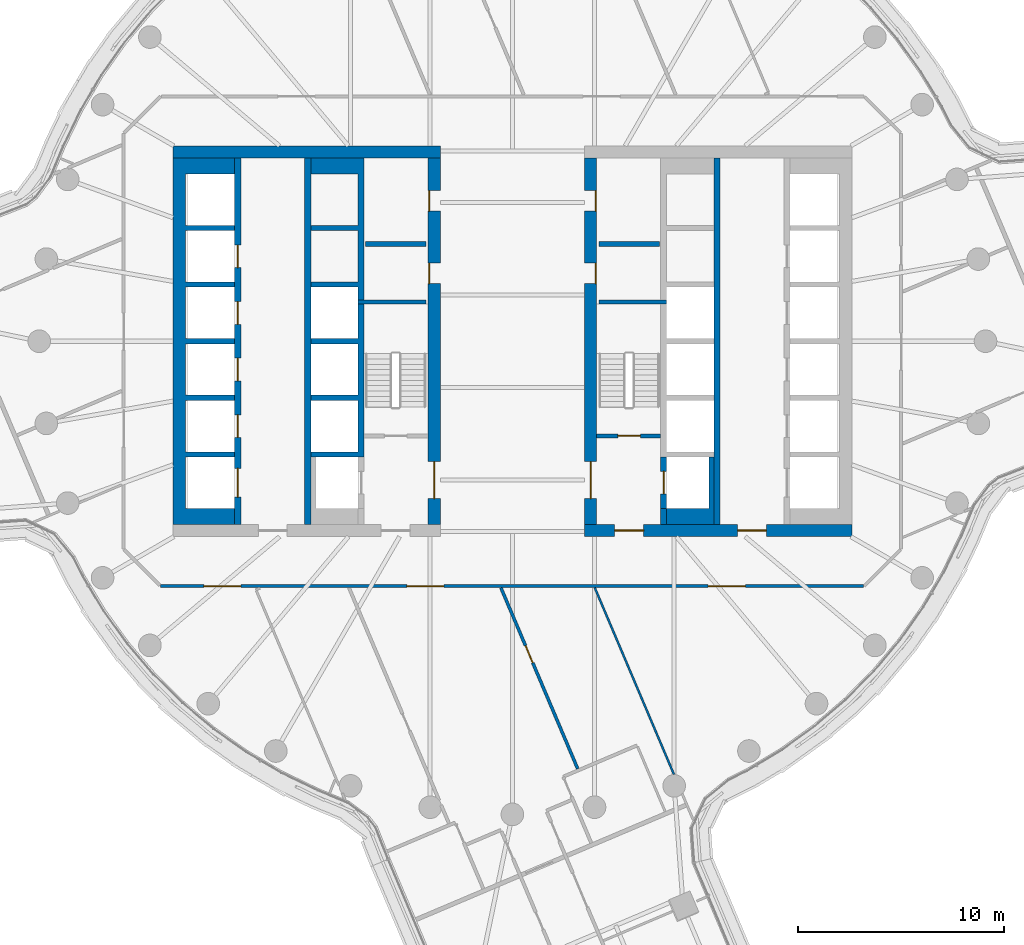
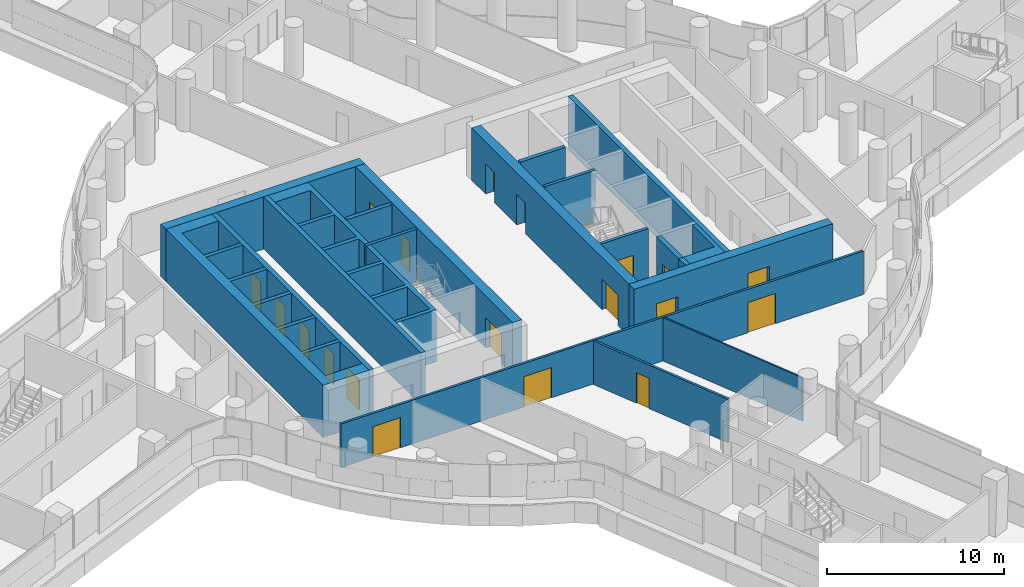
# One storey, part 23 of 35: 20 walls, 19 doors, 19 openings.
"""IFC4 building model written with IfcOpenShell, lengths in metres."""

from ifc_helpers import new_model, si_unit, direction, frame, frame_2d, origin, place, context, subcontext, project, spatial, polyline, rectangle, outline, extrude, material, layer, layer_set, type_object, element, fill, save


model = new_model("IFC4")

# Units and contexts
model_context = context("Model", 3, precision=1e-05, world=origin(), true_north=direction((0.0, 1.0)))
body_context = subcontext(model_context, "Body", "Model", "MODEL_VIEW")
ifc_project = project(units=[si_unit("LENGTHUNIT", "METRE"), si_unit("AREAUNIT", "SQUARE_METRE"), si_unit("VOLUMEUNIT", "CUBIC_METRE"), si_unit("PLANEANGLEUNIT", "RADIAN"), si_unit("MASSUNIT", "GRAM", prefix="KILO")], contexts=[model_context])

# Site, building, storey
site_placement = place(None, origin())
site = spatial("IfcSite", under=ifc_project, at=site_placement, CompositionType="ELEMENT")
building_placement = place(site_placement, origin())
building = spatial("IfcBuilding", under=site, at=building_placement, Name="Tamarind Cross Interchange Tower", CompositionType="ELEMENT")
storey_placement = place(building_placement, frame((0.0, 0.0, 117.25)))
storey = spatial("IfcBuildingStorey", under=building, at=storey_placement, Name="L28", CompositionType="ELEMENT", Elevation=117.25)

# Walls
ifc_material_1 = material(Name="Concrete C70", Category="concrete")
ifc_layer_1 = layer(ifc_material_1, 0.60009765625)
ifc_layer_set_1 = layer_set([ifc_layer_1], Name="Concrete C70")
wall_type_1 = type_object("IfcWallType", Name="Core wall 600 mm Concrete C70", PredefinedType="SHEAR", material=ifc_layer_set_1)
wall_1_placement = place(storey_placement, origin())
element("IfcWall", 1, at=wall_1_placement, inside=storey, type_object=wall_type_1, Name="Core wall CWL-L28-W-A", PredefinedType="SHEAR", context=body_context, shape_type="SweptSolid", body=[
    extrude(outline(polyline([(-13.5, -8.89990234375), (-13.5, -8.125), (-15.89990234375, -8.125), (-15.89990234375, -5.625), (-13.5, -5.625), (-13.5, -5.375), (-15.89990234375, -5.375), (-15.89990234375, -2.875), (-13.5, -2.875), (-13.5, -2.625), (-15.89990234375, -2.625), (-15.89990234375, -0.125), (-13.5, -0.125), (-13.5, 0.125), (-15.89990234375, 0.125), (-15.89990234375, 2.625), (-13.5, 2.625), (-13.5, 2.875), (-15.89990234375, 2.875), (-15.89990234375, 5.375), (-13.5, 5.375), (-13.5, 5.625), (-15.89990234375, 5.625), (-15.89990234375, 8.125), (-13.5, 8.125), (-13.5, 8.89990234375), (-15.89990234375, 8.89990234375), (-16.5, 8.89990234375), (-16.5, -8.89990234375), (-15.89990234375, -8.89990234375), (-13.5, -8.89990234375)])), origin(), (0.0, 0.0, 1.0), 3.610107421875),
])
wall_2_placement = place(storey_placement, frame((-16.5, 9.199951171875, 0.0), z_axis=(0.0, 0.0, 1.0), x_axis=(1.0, 0.0, 0.0)))
element("IfcWall", 2, at=wall_2_placement, inside=storey, type_object=wall_type_1, Name="Core wall CWL-L28-W-NE", PredefinedType="SHEAR", context=body_context, shape_type="SweptSolid", body=[
    extrude(rectangle(XDim=13.0, YDim=0.60009765625, at=frame_2d((6.5, 0.0))), origin(), (0.0, 0.0, 1.0), 3.610107421875),
])

# Wall, openings, doors
wall_3_placement = place(storey_placement, frame((-3.800048828125, -8.89990234375, 0.0), z_axis=(0.0, 0.0, 1.0), x_axis=(0.0, 1.0, 0.0)))
wall_3 = element("IfcWall", 3, at=wall_3_placement, inside=storey, type_object=wall_type_1, Name="Core wall CWL-L28-W-IN", PredefinedType="SHEAR", context=body_context, shape_type="SweptSolid", body=[
    extrude(rectangle(XDim=17.7998046875, YDim=0.60009765625, at=frame_2d((8.89990234375, 0.0))), origin(), (0.0, 0.0, 1.0), 3.610107421875),
])
opening_1_placement = place(wall_3_placement, frame((1.25, 0.0, 0.0)))
opening_1 = element("IfcOpeningElement", 4, at=opening_1_placement, cuts=wall_3, Name="Opening DCW4", PredefinedType="OPENING", context=body_context, shape_type="SweptSolid", body=[
    extrude(rectangle(XDim=1.800048828125, YDim=2.10009765625, at=frame_2d((0.89990234375, 1.050048828125))), frame((0.0, 0.31005859375, 0.0), z_axis=(0.0, -1.0, 0.0), x_axis=(1.0, 0.0, 0.0)), (0.0, 0.0, 1.0), 0.6201171875),
])
opening_2_placement = place(wall_3_placement, frame((11.697509765625, 0.0, 0.0)))
opening_2 = element("IfcOpeningElement", 5, at=opening_2_placement, cuts=wall_3, Name="Opening DCW5", PredefinedType="OPENING", context=body_context, shape_type="SweptSolid", body=[
    extrude(rectangle(XDim=1.0, YDim=2.10009765625, at=frame_2d((0.5, 1.050048828125))), frame((0.0, 0.31005859375, 0.0), z_axis=(0.0, -1.0, 0.0), x_axis=(1.0, 0.0, 0.0)), (0.0, 0.0, 1.0), 0.6201171875),
])
opening_3_placement = place(wall_3_placement, frame((15.222412109375, 0.0, 0.0)))
opening_3 = element("IfcOpeningElement", 6, at=opening_3_placement, cuts=wall_3, Name="Opening DCW5", PredefinedType="OPENING", context=body_context, shape_type="SweptSolid", body=[
    extrude(rectangle(XDim=1.0, YDim=2.10009765625, at=frame_2d((0.5, 1.050048828125))), frame((0.0, 0.31005859375, 0.0), z_axis=(0.0, -1.0, 0.0), x_axis=(1.0, 0.0, 0.0)), (0.0, 0.0, 1.0), 0.6201171875),
])
ifc_material_2 = material(Name="Steel, fire-resisting", Category="steel")
door_type_1 = type_object("IfcDoorType", Name="Core fire door 1000 x 2100 FD90", OperationType="SINGLE_SWING_LEFT", PredefinedType="DOOR", material=ifc_material_2)
door_1_placement = place(opening_2_placement, origin())
door_1 = element("IfcDoor", 7, at=door_1_placement, inside=storey, type_object=door_type_1, Name="L28 comms room door", OperationType="SINGLE_SWING_LEFT", OverallHeight=2.10009765625, OverallWidth=1.0, PredefinedType="DOOR", context=body_context, shape_type="SweptSolid", body=[
    extrude(rectangle(XDim=1.0, YDim=2.10009765625, at=frame_2d((0.5, 1.050048828125))), frame((0.0, 0.27490234375, 0.0), z_axis=(0.0, -1.0, 0.0), x_axis=(1.0, 0.0, 0.0)), (0.0, 0.0, 1.0), 0.050048828125),
])
fill(opening_2, door_1)
door_2_placement = place(opening_3_placement, origin())
door_2 = element("IfcDoor", 8, at=door_2_placement, inside=storey, type_object=door_type_1, Name="L28 cleaner's store door", OperationType="SINGLE_SWING_LEFT", OverallHeight=2.10009765625, OverallWidth=1.0, PredefinedType="DOOR", context=body_context, shape_type="SweptSolid", body=[
    extrude(rectangle(XDim=1.0, YDim=2.10009765625, at=frame_2d((0.5, 1.050048828125))), frame((0.0, 0.27490234375, 0.0), z_axis=(0.0, -1.0, 0.0), x_axis=(1.0, 0.0, 0.0)), (0.0, 0.0, 1.0), 0.050048828125),
])
fill(opening_3, door_2)
door_type_2 = type_object("IfcDoorType", Name="Core fire door 1800 x 2100 FD90", OperationType="SINGLE_SWING_LEFT", PredefinedType="DOOR", material=ifc_material_2)
door_3_placement = place(opening_1_placement, origin())
door_3 = element("IfcDoor", 9, at=door_3_placement, inside=storey, type_object=door_type_2, Name="L28 firefighting lobby door", OperationType="SINGLE_SWING_LEFT", OverallHeight=2.10009765625, OverallWidth=1.800048828125, PredefinedType="DOOR", context=body_context, shape_type="SweptSolid", body=[
    extrude(rectangle(XDim=1.800048828125, YDim=2.10009765625, at=frame_2d((0.89990234375, 1.050048828125))), frame((0.0, 0.02490234375, 0.0), z_axis=(0.0, -1.0, 0.0), x_axis=(1.0, 0.0, 0.0)), (0.0, 0.0, 1.0), 0.050048828125),
])
fill(opening_1, door_3)

wall_4_placement = place(storey_placement, frame((16.5, -9.199951171875, 0.0), z_axis=(0.0, 0.0, 1.0), x_axis=(-1.0, 0.0, 0.0)))
wall_4 = element("IfcWall", 10, at=wall_4_placement, inside=storey, type_object=wall_type_1, Name="Core wall CWL-L28-E-S", PredefinedType="SHEAR", context=body_context, shape_type="SweptSolid", body=[
    extrude(rectangle(XDim=13.0, YDim=0.60009765625, at=frame_2d((6.5, 0.0))), origin(), (0.0, 0.0, 1.0), 3.610107421875),
])
opening_4_placement = place(wall_4_placement, frame((4.14990234375, 0.0, 0.0)))
opening_4 = element("IfcOpeningElement", 11, at=opening_4_placement, cuts=wall_4, Name="Opening DCE1", PredefinedType="OPENING", context=body_context, shape_type="SweptSolid", body=[
    extrude(rectangle(XDim=1.39990234375, YDim=2.10009765625, at=frame_2d((0.699951171875, 1.050048828125))), frame((0.0, 0.31005859375, 0.0), z_axis=(0.0, -1.0, 0.0), x_axis=(1.0, 0.0, 0.0)), (0.0, 0.0, 1.0), 0.6201171875),
])
opening_5_placement = place(wall_4_placement, frame((10.125, 0.0, 0.0)))
opening_5 = element("IfcOpeningElement", 12, at=opening_5_placement, cuts=wall_4, Name="Opening DCEF", PredefinedType="OPENING", context=body_context, shape_type="SweptSolid", body=[
    extrude(rectangle(XDim=1.39990234375, YDim=2.10009765625, at=frame_2d((0.699951171875, 1.050048828125))), frame((0.0, 0.31005859375, 0.0), z_axis=(0.0, -1.0, 0.0), x_axis=(1.0, 0.0, 0.0)), (0.0, 0.0, 1.0), 0.6201171875),
])
door_type_3 = type_object("IfcDoorType", Name="Core fire door 1400 x 2100 FD90", OperationType="SINGLE_SWING_LEFT", PredefinedType="DOOR", material=ifc_material_2)
door_4_placement = place(opening_4_placement, origin())
door_4 = element("IfcDoor", 13, at=door_4_placement, inside=storey, type_object=door_type_3, Name="L28 lift lobby door", OperationType="SINGLE_SWING_LEFT", OverallHeight=2.10009765625, OverallWidth=1.39990234375, PredefinedType="DOOR", context=body_context, shape_type="SweptSolid", body=[
    extrude(rectangle(XDim=1.39990234375, YDim=2.10009765625, at=frame_2d((0.699951171875, 1.050048828125))), frame((0.0, 0.02490234375, 0.0), z_axis=(0.0, -1.0, 0.0), x_axis=(1.0, 0.0, 0.0)), (0.0, 0.0, 1.0), 0.050048828125),
])
fill(opening_4, door_4)
door_5_placement = place(opening_5_placement, origin())
door_5 = element("IfcDoor", 14, at=door_5_placement, inside=storey, type_object=door_type_3, Name="L28 firefighting lobby end door", OperationType="SINGLE_SWING_LEFT", OverallHeight=2.10009765625, OverallWidth=1.39990234375, PredefinedType="DOOR", context=body_context, shape_type="SweptSolid", body=[
    extrude(rectangle(XDim=1.39990234375, YDim=2.10009765625, at=frame_2d((0.699951171875, 1.050048828125))), frame((0.0, 0.02490234375, 0.0), z_axis=(0.0, -1.0, 0.0), x_axis=(1.0, 0.0, 0.0)), (0.0, 0.0, 1.0), 0.050048828125),
])
fill(opening_5, door_5)

wall_5_placement = place(storey_placement, frame((3.800048828125, -8.89990234375, 0.0), z_axis=(0.0, 0.0, 1.0), x_axis=(0.0, 1.0, 0.0)))
wall_5 = element("IfcWall", 15, at=wall_5_placement, inside=storey, type_object=wall_type_1, Name="Core wall CWL-L28-E-IN", PredefinedType="SHEAR", context=body_context, shape_type="SweptSolid", body=[
    extrude(rectangle(XDim=17.7998046875, YDim=0.60009765625, at=frame_2d((8.89990234375, 0.0))), origin(), (0.0, 0.0, 1.0), 3.610107421875),
])
opening_6_placement = place(wall_5_placement, frame((1.25, 0.0, 0.0)))
opening_6 = element("IfcOpeningElement", 16, at=opening_6_placement, cuts=wall_5, Name="Opening DCE4", PredefinedType="OPENING", context=body_context, shape_type="SweptSolid", body=[
    extrude(rectangle(XDim=1.800048828125, YDim=2.10009765625, at=frame_2d((0.89990234375, 1.050048828125))), frame((0.0, 0.31005859375, 0.0), z_axis=(0.0, -1.0, 0.0), x_axis=(1.0, 0.0, 0.0)), (0.0, 0.0, 1.0), 0.6201171875),
])
opening_7_placement = place(wall_5_placement, frame((11.697509765625, 0.0, 0.0)))
opening_7 = element("IfcOpeningElement", 17, at=opening_7_placement, cuts=wall_5, Name="Opening DCE5", PredefinedType="OPENING", context=body_context, shape_type="SweptSolid", body=[
    extrude(rectangle(XDim=1.0, YDim=2.10009765625, at=frame_2d((0.5, 1.050048828125))), frame((0.0, 0.31005859375, 0.0), z_axis=(0.0, -1.0, 0.0), x_axis=(1.0, 0.0, 0.0)), (0.0, 0.0, 1.0), 0.6201171875),
])
opening_8_placement = place(wall_5_placement, frame((15.222412109375, 0.0, 0.0)))
opening_8 = element("IfcOpeningElement", 18, at=opening_8_placement, cuts=wall_5, Name="Opening DCE5", PredefinedType="OPENING", context=body_context, shape_type="SweptSolid", body=[
    extrude(rectangle(XDim=1.0, YDim=2.10009765625, at=frame_2d((0.5, 1.050048828125))), frame((0.0, 0.31005859375, 0.0), z_axis=(0.0, -1.0, 0.0), x_axis=(1.0, 0.0, 0.0)), (0.0, 0.0, 1.0), 0.6201171875),
])
door_6_placement = place(opening_7_placement, origin())
door_6 = element("IfcDoor", 19, at=door_6_placement, inside=storey, type_object=door_type_1, Name="L28 comms room door", OperationType="SINGLE_SWING_LEFT", OverallHeight=2.10009765625, OverallWidth=1.0, PredefinedType="DOOR", context=body_context, shape_type="SweptSolid", body=[
    extrude(rectangle(XDim=1.0, YDim=2.10009765625, at=frame_2d((0.5, 1.050048828125))), frame((0.0, -0.22509765625, 0.0), z_axis=(0.0, -1.0, 0.0), x_axis=(1.0, 0.0, 0.0)), (0.0, 0.0, 1.0), 0.050048828125),
])
fill(opening_7, door_6)
door_7_placement = place(opening_8_placement, origin())
door_7 = element("IfcDoor", 20, at=door_7_placement, inside=storey, type_object=door_type_1, Name="L28 cleaner's store door", OperationType="SINGLE_SWING_LEFT", OverallHeight=2.10009765625, OverallWidth=1.0, PredefinedType="DOOR", context=body_context, shape_type="SweptSolid", body=[
    extrude(rectangle(XDim=1.0, YDim=2.10009765625, at=frame_2d((0.5, 1.050048828125))), frame((0.0, -0.22509765625, 0.0), z_axis=(0.0, -1.0, 0.0), x_axis=(1.0, 0.0, 0.0)), (0.0, 0.0, 1.0), 0.050048828125),
])
fill(opening_8, door_7)
door_8_placement = place(opening_6_placement, origin())
door_8 = element("IfcDoor", 21, at=door_8_placement, inside=storey, type_object=door_type_2, Name="L28 firefighting lobby door", OperationType="SINGLE_SWING_LEFT", OverallHeight=2.10009765625, OverallWidth=1.800048828125, PredefinedType="DOOR", context=body_context, shape_type="SweptSolid", body=[
    extrude(rectangle(XDim=1.800048828125, YDim=2.10009765625, at=frame_2d((0.89990234375, 1.050048828125))), frame((0.0, 0.02490234375, 0.0), z_axis=(0.0, -1.0, 0.0), x_axis=(1.0, 0.0, 0.0)), (0.0, 0.0, 1.0), 0.050048828125),
])
fill(opening_6, door_8)

# Walls
ifc_layer_2 = layer(ifc_material_1, 0.199951171875)
ifc_layer_set_2 = layer_set([ifc_layer_2], Name="Concrete C70")
wall_type_2 = type_object("IfcWallType", Name="Core web wall 200 mm Concrete C70", PredefinedType="SHEAR", material=ifc_layer_set_2)
for number, where, z_axis, x_axis, name in (
    (22, (-7.5, 1.89990234375, 0.0), (0.0, 0.0, 1.0), (1.0, 0.0, 0.0), "Core wall CWL-L28-W-BD"),
    (23, (7.5, 1.89990234375, 0.0), (0.0, 0.0, 1.0), (-1.0, 0.0, 0.0), "Core wall CWL-L28-E-BD"),
):
    element("IfcWall", number, at=place(storey_placement, frame(where, z_axis=z_axis, x_axis=x_axis)), inside=storey, type_object=wall_type_2, Name=name, PredefinedType="SHEAR", context=body_context, shape_type="SweptSolid", body=[
        extrude(rectangle(XDim=3.300048828125, YDim=0.199951171875, at=frame_2d((1.64990234375, 0.0))), origin(), (0.0, 0.0, 1.0), 3.610107421875),
    ])
ifc_layer_3 = layer(ifc_material_1, 0.300048828125)
ifc_layer_set_3 = layer_set([ifc_layer_3], Name="Concrete C70")
wall_type_3 = type_object("IfcWallType", Name="Core web wall 300 mm Concrete C70", PredefinedType="SHEAR", material=ifc_layer_set_3)
wall_6_placement = place(storey_placement, origin())
element("IfcWall", 24, at=wall_6_placement, inside=storey, type_object=wall_type_3, Name="Core wall CWL-L28-W-BN", PredefinedType="SHEAR", context=body_context, shape_type="SweptSolid", body=[
    extrude(outline(polyline([(-9.800048828125, -5.375), (-9.800048828125, -5.625), (-7.5, -5.625), (-7.199951171875, -5.625), (-7.199951171875, 8.89990234375), (-7.5, 8.89990234375), (-9.800048828125, 8.89990234375), (-9.800048828125, 8.125), (-7.5, 8.125), (-7.5, 5.625), (-9.800048828125, 5.625), (-9.800048828125, 5.375), (-7.5, 5.375), (-7.5, 2.875), (-9.800048828125, 2.875), (-9.800048828125, 2.625), (-7.5, 2.625), (-7.5, 0.125), (-9.800048828125, 0.125), (-9.800048828125, -0.125), (-7.5, -0.125), (-7.5, -2.625), (-9.800048828125, -2.625), (-9.800048828125, -2.875), (-7.5, -2.875), (-7.5, -5.375), (-9.800048828125, -5.375)])), origin(), (0.0, 0.0, 1.0), 3.610107421875),
])

# Wall, openings, doors
wall_7_placement = place(storey_placement, frame((-13.35009765625, -8.89990234375, 0.0), z_axis=(0.0, 0.0, 1.0), x_axis=(0.0, 1.0, 0.0)))
wall_7 = element("IfcWall", 25, at=wall_7_placement, inside=storey, type_object=wall_type_3, Name="Core wall CWL-L28-W-LA", PredefinedType="SHEAR", context=body_context, shape_type="SweptSolid", body=[
    extrude(rectangle(XDim=17.7998046875, YDim=0.300048828125, at=frame_2d((8.89990234375, 0.0))), origin(), (0.0, 0.0, 1.0), 3.610107421875),
])
opening_9_placement = place(wall_7_placement, frame((1.324951171875, 0.0, 0.0)))
opening_9 = element("IfcOpeningElement", 26, at=opening_9_placement, cuts=wall_7, Name="Opening LD1L28", PredefinedType="OPENING", context=body_context, shape_type="SweptSolid", body=[
    extrude(rectangle(XDim=1.39990234375, YDim=2.10009765625, at=frame_2d((0.699951171875, 1.050048828125))), frame((0.0, 0.159912109375, 0.0), z_axis=(0.0, -1.0, 0.0), x_axis=(1.0, 0.0, 0.0)), (0.0, 0.0, 1.0), 0.320068359375),
])
opening_10_placement = place(wall_7_placement, frame((4.22509765625, 0.0, 0.0)))
opening_10 = element("IfcOpeningElement", 27, at=opening_10_placement, cuts=wall_7, Name="Opening LD2L28", PredefinedType="OPENING", context=body_context, shape_type="SweptSolid", body=[
    extrude(rectangle(XDim=1.10009765625, YDim=2.10009765625, at=frame_2d((0.550048828125, 1.050048828125))), frame((0.0, 0.159912109375, 0.0), z_axis=(0.0, -1.0, 0.0), x_axis=(1.0, 0.0, 0.0)), (0.0, 0.0, 1.0), 0.320068359375),
])
opening_11_placement = place(wall_7_placement, frame((6.97509765625, 0.0, 0.0)))
opening_11 = element("IfcOpeningElement", 28, at=opening_11_placement, cuts=wall_7, Name="Opening LD3L28", PredefinedType="OPENING", context=body_context, shape_type="SweptSolid", body=[
    extrude(rectangle(XDim=1.10009765625, YDim=2.10009765625, at=frame_2d((0.550048828125, 1.050048828125))), frame((0.0, 0.159912109375, 0.0), z_axis=(0.0, -1.0, 0.0), x_axis=(1.0, 0.0, 0.0)), (0.0, 0.0, 1.0), 0.320068359375),
])
opening_12_placement = place(wall_7_placement, frame((9.72509765625, 0.0, 0.0)))
opening_12 = element("IfcOpeningElement", 29, at=opening_12_placement, cuts=wall_7, Name="Opening LD4L28", PredefinedType="OPENING", context=body_context, shape_type="SweptSolid", body=[
    extrude(rectangle(XDim=1.10009765625, YDim=2.10009765625, at=frame_2d((0.550048828125, 1.050048828125))), frame((0.0, 0.159912109375, 0.0), z_axis=(0.0, -1.0, 0.0), x_axis=(1.0, 0.0, 0.0)), (0.0, 0.0, 1.0), 0.320068359375),
])
opening_13_placement = place(wall_7_placement, frame((12.47509765625, 0.0, 0.0)))
opening_13 = element("IfcOpeningElement", 30, at=opening_13_placement, cuts=wall_7, Name="Opening LD5L28", PredefinedType="OPENING", context=body_context, shape_type="SweptSolid", body=[
    extrude(rectangle(XDim=1.10009765625, YDim=2.10009765625, at=frame_2d((0.550048828125, 1.050048828125))), frame((0.0, 0.159912109375, 0.0), z_axis=(0.0, -1.0, 0.0), x_axis=(1.0, 0.0, 0.0)), (0.0, 0.0, 1.0), 0.320068359375),
])
ifc_material_3 = material(Name="Stainless steel panel", Category="steel")
door_type_4 = type_object("IfcDoorType", Name="Lift landing door 1100 x 2100 E 120", OperationType="SLIDING_TO_LEFT", PredefinedType="DOOR", material=ifc_material_3)
door_9_placement = place(opening_10_placement, origin())
door_9 = element("IfcDoor", 31, at=door_9_placement, inside=storey, type_object=door_type_4, Name="L28 landing door LF2", OperationType="SLIDING_TO_LEFT", OverallHeight=2.10009765625, OverallWidth=1.10009765625, PredefinedType="DOOR", context=body_context, shape_type="SweptSolid", body=[
    extrude(rectangle(XDim=1.10009765625, YDim=2.10009765625, at=frame_2d((0.550048828125, 1.050048828125))), frame((0.0, 0.02490234375, 0.0), z_axis=(0.0, -1.0, 0.0), x_axis=(1.0, 0.0, 0.0)), (0.0, 0.0, 1.0), 0.050048828125),
])
fill(opening_10, door_9)
door_10_placement = place(opening_11_placement, origin())
door_10 = element("IfcDoor", 32, at=door_10_placement, inside=storey, type_object=door_type_4, Name="L28 landing door LF3", OperationType="SLIDING_TO_LEFT", OverallHeight=2.10009765625, OverallWidth=1.10009765625, PredefinedType="DOOR", context=body_context, shape_type="SweptSolid", body=[
    extrude(rectangle(XDim=1.10009765625, YDim=2.10009765625, at=frame_2d((0.550048828125, 1.050048828125))), frame((0.0, 0.02490234375, 0.0), z_axis=(0.0, -1.0, 0.0), x_axis=(1.0, 0.0, 0.0)), (0.0, 0.0, 1.0), 0.050048828125),
])
fill(opening_11, door_10)
door_11_placement = place(opening_12_placement, origin())
door_11 = element("IfcDoor", 33, at=door_11_placement, inside=storey, type_object=door_type_4, Name="L28 landing door LF4", OperationType="SLIDING_TO_LEFT", OverallHeight=2.10009765625, OverallWidth=1.10009765625, PredefinedType="DOOR", context=body_context, shape_type="SweptSolid", body=[
    extrude(rectangle(XDim=1.10009765625, YDim=2.10009765625, at=frame_2d((0.550048828125, 1.050048828125))), frame((0.0, 0.02490234375, 0.0), z_axis=(0.0, -1.0, 0.0), x_axis=(1.0, 0.0, 0.0)), (0.0, 0.0, 1.0), 0.050048828125),
])
fill(opening_12, door_11)
door_12_placement = place(opening_13_placement, origin())
door_12 = element("IfcDoor", 34, at=door_12_placement, inside=storey, type_object=door_type_4, Name="L28 landing door LF5", OperationType="SLIDING_TO_LEFT", OverallHeight=2.10009765625, OverallWidth=1.10009765625, PredefinedType="DOOR", context=body_context, shape_type="SweptSolid", body=[
    extrude(rectangle(XDim=1.10009765625, YDim=2.10009765625, at=frame_2d((0.550048828125, 1.050048828125))), frame((0.0, 0.02490234375, 0.0), z_axis=(0.0, -1.0, 0.0), x_axis=(1.0, 0.0, 0.0)), (0.0, 0.0, 1.0), 0.050048828125),
])
fill(opening_13, door_12)
door_type_5 = type_object("IfcDoorType", Name="Lift landing door 1400 x 2100 E 120", OperationType="SLIDING_TO_LEFT", PredefinedType="DOOR", material=ifc_material_3)
door_13_placement = place(opening_9_placement, origin())
door_13 = element("IfcDoor", 35, at=door_13_placement, inside=storey, type_object=door_type_5, Name="L28 landing door LF1", OperationType="SLIDING_TO_LEFT", OverallHeight=2.10009765625, OverallWidth=1.39990234375, PredefinedType="DOOR", context=body_context, shape_type="SweptSolid", body=[
    extrude(rectangle(XDim=1.39990234375, YDim=2.10009765625, at=frame_2d((0.699951171875, 1.050048828125))), frame((0.0, 0.02490234375, 0.0), z_axis=(0.0, -1.0, 0.0), x_axis=(1.0, 0.0, 0.0)), (0.0, 0.0, 1.0), 0.050048828125),
])
fill(opening_9, door_13)

# Walls
wall_8_placement = place(storey_placement, frame((-9.949951171875, -8.89990234375, 0.0), z_axis=(0.0, 0.0, 1.0), x_axis=(0.0, 1.0, 0.0)))
element("IfcWall", 36, at=wall_8_placement, inside=storey, type_object=wall_type_3, Name="Core wall CWL-L28-W-LB", PredefinedType="SHEAR", context=body_context, shape_type="SweptSolid", body=[
    extrude(rectangle(XDim=17.7998046875, YDim=0.300048828125, at=frame_2d((8.89990234375, 0.0))), origin(), (0.0, 0.0, 1.0), 3.610107421875),
])
wall_9_placement = place(storey_placement, origin())
element("IfcWall", 37, at=wall_9_placement, inside=storey, type_object=wall_type_3, Name="Core wall CWL-L28-E-BS", PredefinedType="SHEAR", context=body_context, shape_type="SweptSolid", body=[
    extrude(outline(polyline([(7.5, -8.125), (7.5, -8.89990234375), (9.800048828125, -8.89990234375), (9.800048828125, -8.125), (9.800048828125, -5.625), (9.550048828125, -5.625), (9.550048828125, -8.125), (7.5, -8.125)])), origin(), (0.0, 0.0, 1.0), 3.610107421875),
])
wall_10_placement = place(storey_placement, frame((7.35009765625, -8.89990234375, 0.0), z_axis=(0.0, 0.0, 1.0), x_axis=(0.0, 1.0, 0.0)))
element("IfcWall", 38, at=wall_10_placement, inside=storey, type_object=wall_type_3, Name="Core wall CWL-L28-E-BW", PredefinedType="SHEAR", context=body_context, shape_type="SweptSolid", body=[
    extrude(rectangle(XDim=0.77490234375, YDim=0.300048828125, at=frame_2d((0.387451171875, 0.0))), origin(), (0.0, 0.0, 1.0), 3.610107421875),
])
wall_11_placement = place(storey_placement, frame((9.949951171875, -8.89990234375, 0.0), z_axis=(0.0, 0.0, 1.0), x_axis=(0.0, 1.0, 0.0)))
element("IfcWall", 39, at=wall_11_placement, inside=storey, type_object=wall_type_3, Name="Core wall CWL-L28-E-LB", PredefinedType="SHEAR", context=body_context, shape_type="SweptSolid", body=[
    extrude(rectangle(XDim=17.7998046875, YDim=0.300048828125, at=frame_2d((8.89990234375, 0.0))), origin(), (0.0, 0.0, 1.0), 3.610107421875),
])

# Wall, opening, door
wall_12_placement = place(storey_placement, frame((7.35009765625, -8.125, 0.0), z_axis=(0.0, 0.0, 1.0), x_axis=(0.0, 1.0, 0.0)))
wall_12 = element("IfcWall", 40, at=wall_12_placement, inside=storey, type_object=wall_type_3, Name="Core wall CWL-L28-E-FF", PredefinedType="SHEAR", context=body_context, shape_type="SweptSolid", body=[
    extrude(rectangle(XDim=2.5, YDim=0.300048828125, at=frame_2d((1.25, 0.0))), origin(), (0.0, 0.0, 1.0), 3.610107421875),
])
opening_14_placement = place(wall_12_placement, frame((0.699951171875, 0.0, 0.0)))
opening_14 = element("IfcOpeningElement", 41, at=opening_14_placement, cuts=wall_12, Name="Opening LD19L28", PredefinedType="OPENING", context=body_context, shape_type="SweptSolid", body=[
    extrude(rectangle(XDim=1.10009765625, YDim=2.10009765625, at=frame_2d((0.550048828125, 1.050048828125))), frame((0.0, 0.159912109375, 0.0), z_axis=(0.0, -1.0, 0.0), x_axis=(1.0, 0.0, 0.0)), (0.0, 0.0, 1.0), 0.320068359375),
])
door_14_placement = place(opening_14_placement, origin())
door_14 = element("IfcDoor", 42, at=door_14_placement, inside=storey, type_object=door_type_4, Name="L28 landing door LF19", OperationType="SLIDING_TO_LEFT", OverallHeight=2.10009765625, OverallWidth=1.10009765625, PredefinedType="DOOR", context=body_context, shape_type="SweptSolid", body=[
    extrude(rectangle(XDim=1.10009765625, YDim=2.10009765625, at=frame_2d((0.550048828125, 1.050048828125))), frame((0.0, 0.02490234375, 0.0), z_axis=(0.0, -1.0, 0.0), x_axis=(1.0, 0.0, 0.0)), (0.0, 0.0, 1.0), 0.050048828125),
])
fill(opening_14, door_14)

# Wall
ifc_material_4 = material(Name="Gypsum board partition on steel studs", Category="steel")
ifc_layer_4 = layer(ifc_material_4, 0.10009765625)
ifc_layer_set_4 = layer_set([ifc_layer_4], Name="Gypsum board partition on steel studs")
wall_type_4 = type_object("IfcWallType", Name="Partition 100 mm EI 90", PredefinedType="PARTITIONING", material=ifc_layer_set_4)
wall_13_placement = place(storey_placement, frame((4.004150390625, -11.978271484375, 0.0), z_axis=(0.0, 0.0, 1.0), x_axis=(0.390495164952, -0.920604978342, 0.0)))
element("IfcWall", 43, at=wall_13_placement, inside=storey, type_object=wall_type_4, Name="Partition L28-024", PredefinedType="PARTITIONING", context=body_context, shape_type="SweptSolid", body=[
    extrude(rectangle(XDim=9.86083984375, YDim=0.10009765625, at=frame_2d((4.930419921875, 0.0))), origin(), (0.0, 0.0, 1.0), 3.010009765625),
])

# Wall, opening, door
ifc_layer_5 = layer(ifc_material_4, 0.14990234375)
ifc_layer_set_5 = layer_set([ifc_layer_5], Name="Gypsum board partition on steel studs")
wall_type_5 = type_object("IfcWallType", Name="Partition 150 mm EI 120", PredefinedType="PARTITIONING", material=ifc_layer_set_5)
wall_14_placement = place(storey_placement, frame((-0.553955078125, -11.987548828125, 0.0), z_axis=(0.0, 0.0, 1.0), x_axis=(0.390471755415, -0.920614907669, 0.0)))
wall_14 = element("IfcWall", 44, at=wall_14_placement, inside=storey, type_object=wall_type_5, Name="Partition L28-017", PredefinedType="PARTITIONING", context=body_context, shape_type="SweptSolid", body=[
    extrude(rectangle(XDim=9.554443359375, YDim=0.14990234375, at=frame_2d((4.77734375, 0.0))), origin(), (0.0, 0.0, 1.0), 3.010009765625),
])
opening_15_placement = place(wall_14_placement, frame((3.054931640625, 0.0, 0.0)))
opening_15 = element("IfcOpeningElement", 45, at=opening_15_placement, cuts=wall_14, Name="Opening D12", PredefinedType="OPENING", context=body_context, shape_type="SweptSolid", body=[
    extrude(rectangle(XDim=0.89990234375, YDim=2.10009765625, at=frame_2d((0.449951171875, 1.050048828125))), frame((0.0, 0.0849609375, 0.0), z_axis=(0.0, -1.0, 0.0), x_axis=(1.0, 0.0, 0.0)), (0.0, 0.0, 1.0), 0.169921875),
])
ifc_material_5 = material(Name="Fire-resisting door set")
door_type_6 = type_object("IfcDoorType", Name="Interior door 900 x 2100 FD60S", OperationType="SINGLE_SWING_LEFT", PredefinedType="DOOR", material=ifc_material_5)
door_15_placement = place(opening_15_placement, origin())
door_15 = element("IfcDoor", 46, at=door_15_placement, inside=storey, type_object=door_type_6, Name="Door D12", OperationType="SINGLE_SWING_RIGHT", OverallHeight=2.10009765625, OverallWidth=0.89990234375, PredefinedType="DOOR", context=body_context, shape_type="SweptSolid", body=[
    extrude(rectangle(XDim=0.89990234375, YDim=2.10009765625, at=frame_2d((0.449951171875, 1.050048828125))), frame((0.0, 0.02490234375, 0.0), z_axis=(0.0, -1.0, 0.0), x_axis=(1.0, 0.0, 0.0)), (0.0, 0.0, 1.0), 0.050048828125),
])
fill(opening_15, door_15)

# Wall, openings, doors
wall_15_placement = place(storey_placement, frame((-17.10009765625, -11.89990234375, 0.0), z_axis=(0.0, 0.0, 1.0), x_axis=(1.0, 0.0, 0.0)))
wall_15 = element("IfcWall", 47, at=wall_15_placement, inside=storey, type_object=wall_type_5, Name="Partition L28-037", PredefinedType="PARTITIONING", context=body_context, shape_type="SweptSolid", body=[
    extrude(rectangle(XDim=34.1650390625, YDim=0.14990234375, at=frame_2d((17.08251953125, 0.0))), origin(), (0.0, 0.0, 1.0), 3.010009765625),
])
opening_16_placement = place(wall_15_placement, frame((11.972900390625, 0.0, 0.0)))
opening_16 = element("IfcOpeningElement", 48, at=opening_16_placement, cuts=wall_15, Name="Opening D22", PredefinedType="OPENING", context=body_context, shape_type="SweptSolid", body=[
    extrude(rectangle(XDim=1.800048828125, YDim=2.10009765625, at=frame_2d((0.89990234375, 1.050048828125))), frame((0.0, 0.0849609375, 0.0), z_axis=(0.0, -1.0, 0.0), x_axis=(1.0, 0.0, 0.0)), (0.0, 0.0, 1.0), 0.169921875),
])
opening_17_placement = place(wall_15_placement, frame((2.10009765625, 0.0, 0.0)))
opening_17 = element("IfcOpeningElement", 49, at=opening_17_placement, cuts=wall_15, Name="Opening D23", PredefinedType="OPENING", context=body_context, shape_type="SweptSolid", body=[
    extrude(rectangle(XDim=1.800048828125, YDim=2.10009765625, at=frame_2d((0.89990234375, 1.050048828125))), frame((0.0, 0.0849609375, 0.0), z_axis=(0.0, -1.0, 0.0), x_axis=(1.0, 0.0, 0.0)), (0.0, 0.0, 1.0), 0.169921875),
])
opening_18_placement = place(wall_15_placement, frame((26.62109375, 0.0, 0.0)))
opening_18 = element("IfcOpeningElement", 50, at=opening_18_placement, cuts=wall_15, Name="Opening D24", PredefinedType="OPENING", context=body_context, shape_type="SweptSolid", body=[
    extrude(rectangle(XDim=1.800048828125, YDim=2.10009765625, at=frame_2d((0.89990234375, 1.050048828125))), frame((0.0, 0.0849609375, 0.0), z_axis=(0.0, -1.0, 0.0), x_axis=(1.0, 0.0, 0.0)), (0.0, 0.0, 1.0), 0.169921875),
])
door_type_7 = type_object("IfcDoorType", Name="Interior door 1800 x 2100 FD60S", OperationType="DOUBLE_DOOR_SINGLE_SWING", PredefinedType="DOOR", material=ifc_material_5)
door_16_placement = place(opening_16_placement, origin())
door_16 = element("IfcDoor", 51, at=door_16_placement, inside=storey, type_object=door_type_7, Name="Door D22", OperationType="DOUBLE_DOOR_SINGLE_SWING", OverallHeight=2.10009765625, OverallWidth=1.800048828125, PredefinedType="DOOR", context=body_context, shape_type="SweptSolid", body=[
    extrude(rectangle(XDim=1.800048828125, YDim=2.10009765625, at=frame_2d((0.89990234375, 1.050048828125))), frame((0.0, 0.02490234375, 0.0), z_axis=(0.0, -1.0, 0.0), x_axis=(1.0, 0.0, 0.0)), (0.0, 0.0, 1.0), 0.050048828125),
])
fill(opening_16, door_16)
door_17_placement = place(opening_17_placement, frame((1.800048828125, 0.0, 0.0), z_axis=(0.0, 0.0, 1.0), x_axis=(-1.0, 0.0, 0.0)))
door_17 = element("IfcDoor", 52, at=door_17_placement, inside=storey, type_object=door_type_7, Name="Door D23", OperationType="DOUBLE_DOOR_SINGLE_SWING", OverallHeight=2.10009765625, OverallWidth=1.800048828125, PredefinedType="DOOR", context=body_context, shape_type="SweptSolid", body=[
    extrude(rectangle(XDim=1.800048828125, YDim=2.10009765625, at=frame_2d((0.89990234375, 1.050048828125))), frame((0.0, 0.02490234375, 0.0), z_axis=(0.0, -1.0, 0.0), x_axis=(1.0, 0.0, 0.0)), (0.0, 0.0, 1.0), 0.050048828125),
])
fill(opening_17, door_17)
door_18_placement = place(opening_18_placement, frame((1.800048828125, 0.0, 0.0), z_axis=(0.0, 0.0, 1.0), x_axis=(-1.0, 0.0, 0.0)))
door_18 = element("IfcDoor", 53, at=door_18_placement, inside=storey, type_object=door_type_7, Name="Door D24", OperationType="DOUBLE_DOOR_SINGLE_SWING", OverallHeight=2.10009765625, OverallWidth=1.800048828125, PredefinedType="DOOR", context=body_context, shape_type="SweptSolid", body=[
    extrude(rectangle(XDim=1.800048828125, YDim=2.10009765625, at=frame_2d((0.89990234375, 1.050048828125))), frame((0.0, 0.02490234375, 0.0), z_axis=(0.0, -1.0, 0.0), x_axis=(1.0, 0.0, 0.0)), (0.0, 0.0, 1.0), 0.050048828125),
])
fill(opening_18, door_18)

# Walls
ifc_material_6 = material(Name="Concrete C40", Category="concrete")
ifc_layer_6 = layer(ifc_material_6, 0.25)
ifc_layer_set_6 = layer_set([ifc_layer_6], Name="Concrete C40")
wall_type_6 = type_object("IfcWallType", Name="Shaft and lobby wall 250 mm Concrete C40", PredefinedType="PARTITIONING", material=ifc_layer_set_6)
for number, where, z_axis, x_axis, name in (
    (54, (-7.14990234375, 4.719970703125, 0.0), (0.0, 0.0, 1.0), (1.0, 0.0, 0.0), "Shaft wall CWL-L28-W-SVP"),
    (55, (7.14990234375, 4.719970703125, 0.0), (0.0, 0.0, 1.0), (-1.0, 0.0, 0.0), "Shaft wall CWL-L28-E-SVP"),
):
    element("IfcWall", number, at=place(storey_placement, frame(where, z_axis=z_axis, x_axis=x_axis)), inside=storey, type_object=wall_type_6, Name=name, PredefinedType="PARTITIONING", context=body_context, shape_type="SweptSolid", body=[
        extrude(rectangle(XDim=2.949951171875, YDim=0.25, at=frame_2d((1.47509765625, 0.0))), origin(), (0.0, 0.0, 1.0), 3.610107421875),
    ])

# Wall, opening, door
ifc_layer_7 = layer(ifc_material_6, 0.199951171875)
ifc_layer_set_7 = layer_set([ifc_layer_7], Name="Concrete C40")
wall_type_7 = type_object("IfcWallType", Name="Stair shaft wall 200 mm Concrete C40", PredefinedType="SHEAR", material=ifc_layer_set_7)
wall_16_placement = place(storey_placement, frame((7.199951171875, -4.60009765625, 0.0), z_axis=(0.0, 0.0, 1.0), x_axis=(-1.0, 0.0, 0.0)))
wall_16 = element("IfcWall", 56, at=wall_16_placement, inside=storey, type_object=wall_type_7, Name="Core wall CWL-L28-E-SD", PredefinedType="SHEAR", context=body_context, shape_type="SweptSolid", body=[
    extrude(rectangle(XDim=3.099853515625, YDim=0.199951171875, at=frame_2d((1.5498046875, 0.0))), origin(), (0.0, 0.0, 1.0), 3.610107421875),
])
opening_19_placement = place(wall_16_placement, frame((0.97509765625, 0.0, 0.0)))
opening_19 = element("IfcOpeningElement", 57, at=opening_19_placement, cuts=wall_16, Name="Opening DCE6", PredefinedType="OPENING", context=body_context, shape_type="SweptSolid", body=[
    extrude(rectangle(XDim=1.10009765625, YDim=2.10009765625, at=frame_2d((0.550048828125, 1.050048828125))), frame((0.0, 0.10986328125, 0.0), z_axis=(0.0, -1.0, 0.0), x_axis=(1.0, 0.0, 0.0)), (0.0, 0.0, 1.0), 0.219970703125),
])
door_type_8 = type_object("IfcDoorType", Name="Core fire door 1100 x 2100 FD90", OperationType="SINGLE_SWING_LEFT", PredefinedType="DOOR", material=ifc_material_2)
door_19_placement = place(opening_19_placement, origin())
door_19 = element("IfcDoor", 58, at=door_19_placement, inside=storey, type_object=door_type_8, Name="L28 stair door", OperationType="SINGLE_SWING_LEFT", OverallHeight=2.10009765625, OverallWidth=1.10009765625, PredefinedType="DOOR", context=body_context, shape_type="SweptSolid", body=[
    extrude(rectangle(XDim=1.10009765625, YDim=2.10009765625, at=frame_2d((0.550048828125, 1.050048828125))), frame((0.0, 0.02490234375, 0.0), z_axis=(0.0, -1.0, 0.0), x_axis=(1.0, 0.0, 0.0)), (0.0, 0.0, 1.0), 0.050048828125),
])
fill(opening_19, door_19)

save(model, "model.ifc")
